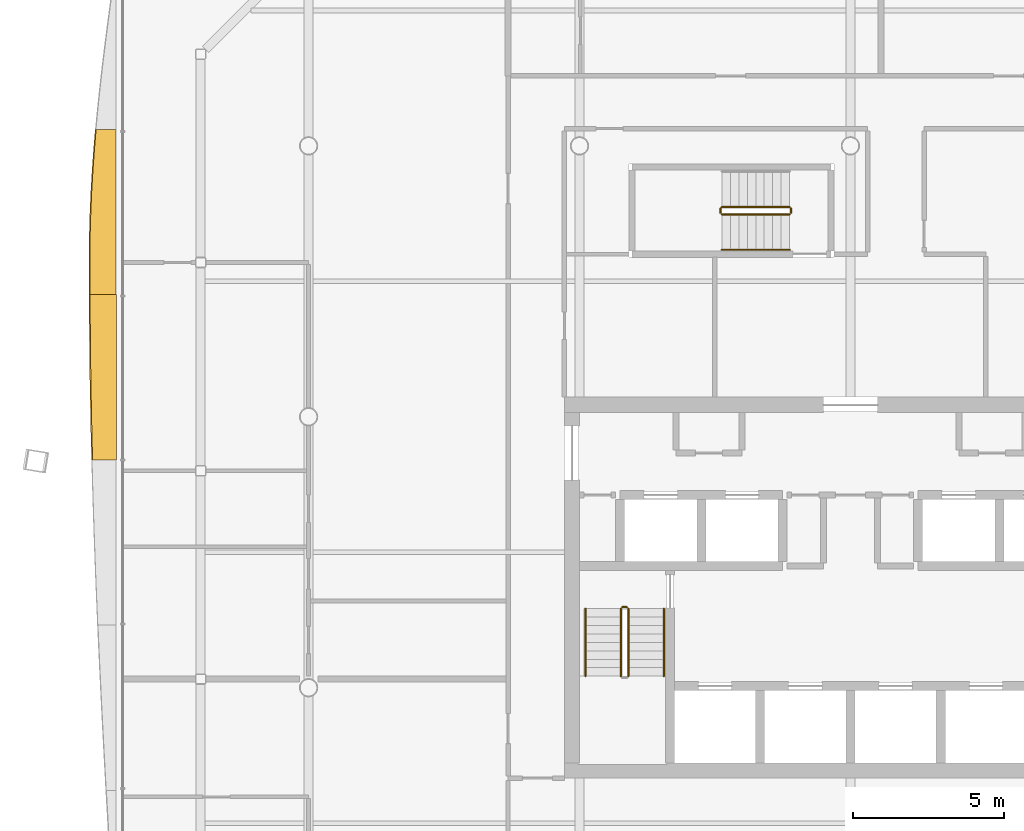
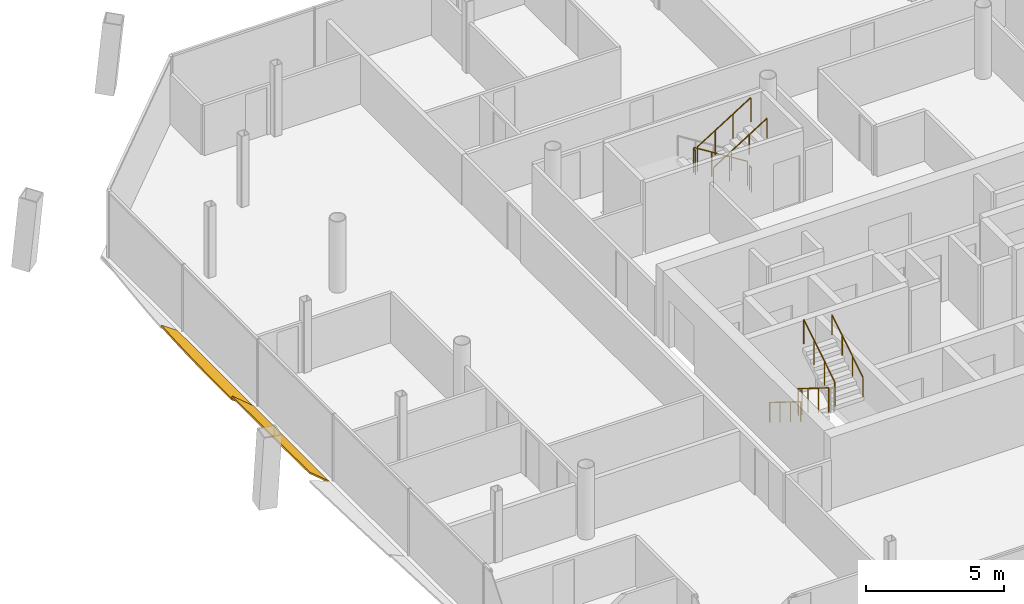
# One storey, part 18 of 20: 10 railings, 2 shading devices.
"""IFC4 building model written with IfcOpenShell, lengths in metres."""

from ifc_helpers import new_model, si_unit, direction, frame, origin, origin_2d, place, context, subcontext, project, spatial, polyline, circle, outline, extrude, material, layer, layer_set, type_object, element, save


model = new_model("IFC4")

# Units and contexts
model_context = context("Model", 3, precision=1e-05, world=origin(), true_north=direction((0.0, 1.0)))
body_context = subcontext(model_context, "Body", "Model", "MODEL_VIEW")
ifc_project = project(units=[si_unit("LENGTHUNIT", "METRE"), si_unit("AREAUNIT", "SQUARE_METRE"), si_unit("VOLUMEUNIT", "CUBIC_METRE"), si_unit("PLANEANGLEUNIT", "RADIAN"), si_unit("MASSUNIT", "GRAM", prefix="KILO")], contexts=[model_context])

# Site, building, storey
site_placement = place(None, origin())
site = spatial("IfcSite", under=ifc_project, at=site_placement, CompositionType="ELEMENT")
building_placement = place(site_placement, origin())
building = spatial("IfcBuilding", under=site, at=building_placement, Name="Tskaro Facet Tower", CompositionType="ELEMENT")
storey_placement = place(building_placement, frame((0.0, 0.0, 175.35009765625)))
storey = spatial("IfcBuildingStorey", under=building, at=storey_placement, Name="L43", CompositionType="ELEMENT", Elevation=175.35009765625)

# Shading devices
ifc_material_1 = material(Name="Bronze anodised aluminium 6063-T6", Category="aluminium")
ifc_layer = layer(ifc_material_1, 0.06005859375, Name="Bronze anodised aluminium 6063-T6")
ifc_layer_set = layer_set([ifc_layer], Name="Bronze anodised aluminium 6063-T6")
shading_device_type = type_object("IfcShadingDeviceType", Name="Bronze sun blade (FN1)", PredefinedType="USERDEFINED", material=ifc_layer_set)
shading_device_1_placement = place(storey_placement, frame((-24.3916015625, 9.545166015625, 0.049072265625), z_axis=(0.573585713732, -1.1586492e-05, 0.819145548037), x_axis=(-6.645846e-06, -0.999999999933, -9.491023e-06)))
element("IfcShadingDevice", 1, at=shading_device_1_placement, inside=storey, type_object=shading_device_type, Name="Fin blade west 2", ObjectType="FIN", PredefinedType="USERDEFINED", context=body_context, shape_type="SweptSolid", body=[
    extrude(outline(polyline([(0.0, 0.0), (5.48974609338151, 0.0), (5.489746094543309, -1.0642414640287032), (4.80371093579414, -1.0664815844191486), (4.457763671814882, -1.0666815711252258), (4.117431639426554, -1.0652615308708875), (3.4311523455885866, -1.0528610086821977), (2.7448730468622555, -1.0279400620419663), (2.0585937497376463, -0.991298637774501), (1.3725585932172195, -0.9427367491737253), (0.6862792962842836, -0.883134427507172), (-2.0290370464211375e-10, -0.8133717040423745), (0.0, 0.0)])), origin(), (0.0, 0.0, -1.0), 0.06005859375),
])
shading_device_2_placement = place(storey_placement, frame((-24.387451171875, 4.055419921875, 0.0458984375), z_axis=(0.642780398686, 2.569786e-06, 0.766050493805), x_axis=(1.651808e-06, -0.999999999997, 1.968586e-06)))
element("IfcShadingDevice", 2, at=shading_device_2_placement, inside=storey, type_object=shading_device_type, Name="Fin blade west 3", ObjectType="FIN", PredefinedType="USERDEFINED", context=body_context, shape_type="SweptSolid", body=[
    extrude(outline(polyline([(0.0, 0.0), (5.489990234356872, 0.0), (5.489990234241527, -1.029364740098204), (4.803710937418408, -1.0513712701755018), (4.117431640457194, -1.070783106224168), (3.431152343915835, -1.088101129907089), (2.7451171874581073, -1.1030114836077185), (2.0588378907178972, -1.1154840720879897), (1.3725585938395921, -1.1253619665396295), (0.6862792969005309, -1.1329891198172506), (-1.76625245614387e-10, -1.1380215790662405), (0.0, 0.0)])), origin(), (0.0, 0.0, -1.0), 0.06005859375),
])

# Railings
ifc_material_2 = material(Name="Stainless steel", Category="steel")
railing_type_1 = type_object("IfcRailingType", Name="RL-GUARD-1100", PredefinedType="GUARDRAIL", material=ifc_material_2)
railing_1_placement = place(storey_placement, frame((-7.625, -6.375, 0.1748046875)))
element("IfcRailing", 3, at=railing_1_placement, inside=storey, type_object=railing_type_1, Name="L43 ST-1 stair guard 1", PredefinedType="GUARDRAIL", context=body_context, shape_type="SweptSolid", body=[
    extrude(circle(Radius=0.02392578125, at=origin_2d()), frame((0.0, 0.0, 1.076171875), z_axis=(0.0, -0.847972341737, 0.530040477369), x_axis=(1.0, 0.0, 0.0)), (0.0, 0.0, 1.0), 2.6416015625),
    extrude(circle(Radius=0.02099609375, at=origin_2d()), origin(), (0.0, 0.0, 1.0), 1.052001953125),
    extrude(circle(Radius=0.02099609375, at=origin_2d()), frame((0.0, -0.74658203125, 0.466796875)), (0.0, 0.0, 1.0), 1.052001953125),
    extrude(circle(Radius=0.02099609375, at=origin_2d()), frame((0.0, -1.493408203125, 0.933349609375)), (0.0, 0.0, 1.0), 1.052001953125),
    extrude(circle(Radius=0.02099609375, at=origin_2d()), frame((0.0, -2.239990234375, 1.400146484375)), (0.0, 0.0, 1.0), 1.052001953125),
])
railing_2_placement = place(storey_placement, frame((-7.375, -8.614990234375, 1.75)))
element("IfcRailing", 4, at=railing_2_placement, inside=storey, type_object=railing_type_1, Name="L43 ST-1 stair guard 3", PredefinedType="GUARDRAIL", context=body_context, shape_type="SweptSolid", body=[
    extrude(circle(Radius=0.02392578125, at=origin_2d()), frame((0.0, 0.0, 1.076171875), z_axis=(0.0, 0.848013881152, 0.529974015752), x_axis=(-1.0, 0.0, 0.0)), (0.0, 0.0, 1.0), 2.641357421875),
    extrude(circle(Radius=0.02099609375, at=origin_2d()), origin(), (0.0, 0.0, 1.0), 1.052001953125),
    extrude(circle(Radius=0.02099609375, at=origin_2d()), frame((0.0, 0.74658203125, 0.466552734375)), (0.0, 0.0, 1.0), 1.052001953125),
    extrude(circle(Radius=0.02099609375, at=origin_2d()), frame((0.0, 1.493408203125, 0.933349609375)), (0.0, 0.0, 1.0), 1.052001953125),
    extrude(circle(Radius=0.02099609375, at=origin_2d()), frame((0.0, 2.239990234375, 1.39990234375)), (0.0, 0.0, 1.0), 1.052001953125),
])
railing_3_placement = place(storey_placement, frame((-7.574951171875, -6.324951171875, 0.0)))
element("IfcRailing", 5, at=railing_3_placement, inside=storey, type_object=railing_type_1, Name="L43 ST-1 stair guard 4", PredefinedType="GUARDRAIL", context=body_context, shape_type="SweptSolid", body=[
    extrude(circle(Radius=0.02392578125, at=origin_2d()), frame((0.0, 0.0, 1.076171875), z_axis=(1.0, 0.0, 0.0), x_axis=(0.0, 1.0, 0.0)), (0.0, 0.0, 1.0), 0.14990234375),
    extrude(circle(Radius=0.02099609375, at=origin_2d()), origin(), (0.0, 0.0, 1.0), 1.052001953125),
    extrude(circle(Radius=0.02099609375, at=origin_2d()), frame((0.14990234375, 0.0, 0.0)), (0.0, 0.0, 1.0), 1.052001953125),
])
railing_4_placement = place(storey_placement, frame((-2.02490234375, 6.97509765625, 0.1748046875)))
element("IfcRailing", 6, at=railing_4_placement, inside=storey, type_object=railing_type_1, Name="L43 ST-3 stair guard 1", PredefinedType="GUARDRAIL", context=body_context, shape_type="SweptSolid", body=[
    extrude(circle(Radius=0.02392578125, at=origin_2d()), frame((0.0, 0.0, 1.076171875), z_axis=(-0.847972341737, 0.0, 0.530040477369), x_axis=(0.0, -1.0, 0.0)), (0.0, 0.0, 1.0), 2.6416015625),
    extrude(circle(Radius=0.02099609375, at=origin_2d()), origin(), (0.0, 0.0, 1.0), 1.052001953125),
    extrude(circle(Radius=0.02099609375, at=origin_2d()), frame((-0.74658203125, 0.0, 0.466796875)), (0.0, 0.0, 1.0), 1.052001953125),
    extrude(circle(Radius=0.02099609375, at=origin_2d()), frame((-1.493408203125, 0.0, 0.933349609375)), (0.0, 0.0, 1.0), 1.052001953125),
    extrude(circle(Radius=0.02099609375, at=origin_2d()), frame((-2.239990234375, 0.0, 1.400146484375)), (0.0, 0.0, 1.0), 1.052001953125),
])
railing_5_placement = place(storey_placement, frame((-4.31494140625, 6.925048828125, 1.574951171875)))
element("IfcRailing", 7, at=railing_5_placement, inside=storey, type_object=railing_type_1, Name="L43 ST-3 stair guard 2", PredefinedType="GUARDRAIL", context=body_context, shape_type="SweptSolid", body=[
    extrude(circle(Radius=0.02392578125, at=origin_2d()), frame((0.0, 0.0, 1.076171875), z_axis=(0.0, -1.0, 0.0), x_axis=(1.0, 0.0, 0.0)), (0.0, 0.0, 1.0), 0.150146484375),
    extrude(circle(Radius=0.02099609375, at=origin_2d()), origin(), (0.0, 0.0, 1.0), 1.052001953125),
    extrude(circle(Radius=0.02099609375, at=origin_2d()), frame((0.0, -0.150146484375, 0.0)), (0.0, 0.0, 1.0), 1.052001953125),
])
railing_6_placement = place(storey_placement, frame((-4.264892578125, 6.72509765625, 1.75)))
element("IfcRailing", 8, at=railing_6_placement, inside=storey, type_object=railing_type_1, Name="L43 ST-3 stair guard 3", PredefinedType="GUARDRAIL", context=body_context, shape_type="SweptSolid", body=[
    extrude(circle(Radius=0.02392578125, at=origin_2d()), frame((0.0, 0.0, 1.076171875), z_axis=(0.848013881152, 0.0, 0.529974015752), x_axis=(0.0, 1.0, 0.0)), (0.0, 0.0, 1.0), 2.641357421875),
    extrude(circle(Radius=0.02099609375, at=origin_2d()), origin(), (0.0, 0.0, 1.0), 1.052001953125),
    extrude(circle(Radius=0.02099609375, at=origin_2d()), frame((0.74658203125, 0.0, 0.466552734375)), (0.0, 0.0, 1.0), 1.052001953125),
    extrude(circle(Radius=0.02099609375, at=origin_2d()), frame((1.493408203125, 0.0, 0.933349609375)), (0.0, 0.0, 1.0), 1.052001953125),
    extrude(circle(Radius=0.02099609375, at=origin_2d()), frame((2.239990234375, 0.0, 1.39990234375)), (0.0, 0.0, 1.0), 1.052001953125),
])
railing_7_placement = place(storey_placement, frame((-1.97509765625, 6.925048828125, 0.0)))
element("IfcRailing", 9, at=railing_7_placement, inside=storey, type_object=railing_type_1, Name="L43 ST-3 stair guard 4", PredefinedType="GUARDRAIL", context=body_context, shape_type="SweptSolid", body=[
    extrude(circle(Radius=0.02392578125, at=origin_2d()), frame((0.0, 0.0, 1.076171875), z_axis=(0.0, -1.0, 0.0), x_axis=(1.0, 0.0, 0.0)), (0.0, 0.0, 1.0), 0.150146484375),
    extrude(circle(Radius=0.02099609375, at=origin_2d()), origin(), (0.0, 0.0, 1.0), 1.052001953125),
    extrude(circle(Radius=0.02099609375, at=origin_2d()), frame((0.0, -0.150146484375, 0.0)), (0.0, 0.0, 1.0), 1.052001953125),
])
railing_type_2 = type_object("IfcRailingType", Name="RL-HANDRAIL-900", PredefinedType="HANDRAIL", material=ifc_material_2)
railing_8_placement = place(storey_placement, frame((-8.800048828125, -6.375, 0.1748046875)))
element("IfcRailing", 10, at=railing_8_placement, inside=storey, type_object=railing_type_2, Name="L43 ST-1 stair handrail 1", PredefinedType="HANDRAIL", context=body_context, shape_type="SweptSolid", body=[
    extrude(circle(Radius=0.02392578125, at=origin_2d()), frame((0.0, 0.0, 0.8759765625), z_axis=(0.0, -0.847972341737, 0.530040477369), x_axis=(1.0, 0.0, 0.0)), (0.0, 0.0, 1.0), 2.6416015625),
    extrude(circle(Radius=0.02099609375, at=origin_2d()), origin(), (0.0, 0.0, 1.0), 0.851806640625),
    extrude(circle(Radius=0.02099609375, at=origin_2d()), frame((0.0, -0.74658203125, 0.466796875)), (0.0, 0.0, 1.0), 0.851806640625),
    extrude(circle(Radius=0.02099609375, at=origin_2d()), frame((0.0, -1.493408203125, 0.933349609375)), (0.0, 0.0, 1.0), 0.851806640625),
    extrude(circle(Radius=0.02099609375, at=origin_2d()), frame((0.0, -2.239990234375, 1.400146484375)), (0.0, 0.0, 1.0), 0.851806640625),
])
railing_9_placement = place(storey_placement, frame((-6.199951171875, -8.614990234375, 1.75)))
element("IfcRailing", 11, at=railing_9_placement, inside=storey, type_object=railing_type_2, Name="L43 ST-1 stair handrail 2", PredefinedType="HANDRAIL", context=body_context, shape_type="SweptSolid", body=[
    extrude(circle(Radius=0.02392578125, at=origin_2d()), frame((0.0, 0.0, 0.8759765625), z_axis=(0.0, 0.848013881152, 0.529974015752), x_axis=(-1.0, 0.0, 0.0)), (0.0, 0.0, 1.0), 2.641357421875),
    extrude(circle(Radius=0.02099609375, at=origin_2d()), origin(), (0.0, 0.0, 1.0), 0.851806640625),
    extrude(circle(Radius=0.02099609375, at=origin_2d()), frame((0.0, 0.74658203125, 0.466552734375)), (0.0, 0.0, 1.0), 0.851806640625),
    extrude(circle(Radius=0.02099609375, at=origin_2d()), frame((0.0, 1.493408203125, 0.933349609375)), (0.0, 0.0, 1.0), 0.851806640625),
    extrude(circle(Radius=0.02099609375, at=origin_2d()), frame((0.0, 2.239990234375, 1.39990234375)), (0.0, 0.0, 1.0), 0.851806640625),
])
railing_10_placement = place(storey_placement, frame((-4.264892578125, 5.550048828125, 1.75)))
element("IfcRailing", 12, at=railing_10_placement, inside=storey, type_object=railing_type_2, Name="L43 ST-3 stair handrail 2", PredefinedType="HANDRAIL", context=body_context, shape_type="SweptSolid", body=[
    extrude(circle(Radius=0.02392578125, at=origin_2d()), frame((0.0, 0.0, 0.8759765625), z_axis=(0.848013881152, 0.0, 0.529974015752), x_axis=(0.0, 1.0, 0.0)), (0.0, 0.0, 1.0), 2.641357421875),
    extrude(circle(Radius=0.02099609375, at=origin_2d()), origin(), (0.0, 0.0, 1.0), 0.851806640625),
    extrude(circle(Radius=0.02099609375, at=origin_2d()), frame((0.74658203125, 0.0, 0.466552734375)), (0.0, 0.0, 1.0), 0.851806640625),
    extrude(circle(Radius=0.02099609375, at=origin_2d()), frame((1.493408203125, 0.0, 0.933349609375)), (0.0, 0.0, 1.0), 0.851806640625),
    extrude(circle(Radius=0.02099609375, at=origin_2d()), frame((2.239990234375, 0.0, 1.39990234375)), (0.0, 0.0, 1.0), 0.851806640625),
])

save(model, "model.ifc")
